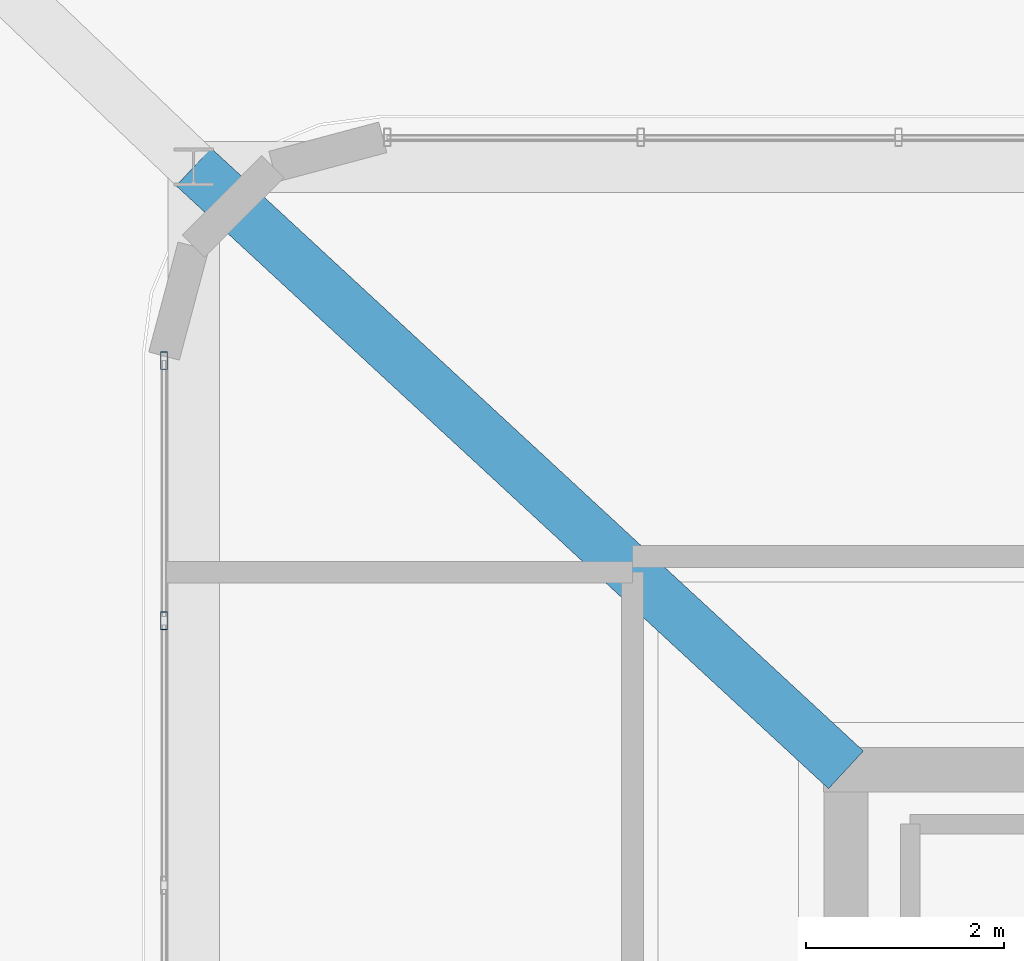
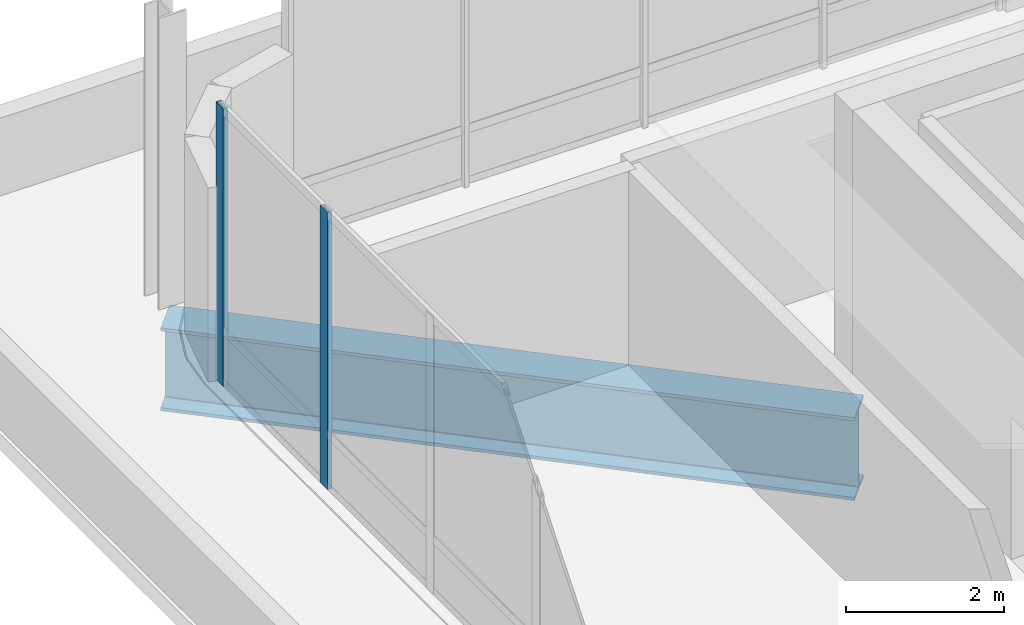
# One storey, part 10 of 28: 2 members, 1 beam, 1 element without a shape of its own.
"""IFC4 building model written with IfcOpenShell, lengths in metres."""

from ifc_helpers import new_model, si_unit, direction, frame, origin, origin_2d, place, context, subcontext, project, spatial, hollow_rectangle, i_section, extrude, material, material_profile, profile_set, type_object, element, aggregate, save


model = new_model("IFC4")

# Units and contexts
model_context = context("Model", 3, precision=1e-05, world=origin(), true_north=direction((0.0, 1.0)))
body_context = subcontext(model_context, "Body", "Model", "MODEL_VIEW")
ifc_project = project(units=[si_unit("LENGTHUNIT", "METRE"), si_unit("AREAUNIT", "SQUARE_METRE"), si_unit("VOLUMEUNIT", "CUBIC_METRE"), si_unit("PLANEANGLEUNIT", "RADIAN"), si_unit("MASSUNIT", "GRAM", prefix="KILO")], contexts=[model_context])

# Site, building, storey
site_placement = place(None, origin())
site = spatial("IfcSite", under=ifc_project, at=site_placement, CompositionType="ELEMENT")
building_placement = place(site_placement, origin())
building = spatial("IfcBuilding", under=site, at=building_placement, Name="Punatoya Terracotta Tower", CompositionType="ELEMENT")
storey_placement = place(building_placement, frame((0.0, 0.0, 352.800048828125)))
storey = spatial("IfcBuildingStorey", under=building, at=storey_placement, Name="L83", CompositionType="ELEMENT", Elevation=352.800048828125)

# Beam
ifc_material_1 = material(Name="Steel S460", Category="steel")
ifc_material_profile_1 = material_profile(ifc_material_1, i_section(OverallWidth=0.52001953125, OverallDepth=1.280029296875, WebThickness=0.031982421875, FlangeThickness=0.050048828125, FilletRadius=0.01806640625, at=origin_2d()))
ifc_profile_set_1 = profile_set([ifc_material_profile_1], Name="Steel S460")
beam_type = type_object("IfcBeamType", Name="BM-TG-NCK", PredefinedType="BEAM", material=ifc_profile_set_1)
beam_placement = place(storey_placement, frame((-16.800048828125, 15.300048828125, -0.920166015625), z_axis=(0.734376297809, -0.678742552973, 0.0), x_axis=(0.678742552973, 0.734376297809, 0.0)))
element("IfcBeam", 1, at=beam_placement, inside=storey, type_object=beam_type, Name="BM-L83-CD4B", PredefinedType="BEAM", context=body_context, shape_type="SweptSolid", body=[
    extrude(i_section(OverallWidth=0.52001953125, OverallDepth=1.280029296875, WebThickness=0.031982421875, FlangeThickness=0.050048828125, FilletRadius=0.01806640625, at=origin_2d()), origin(), (0.0, 0.0, 1.0), 8.9873046875),
])

# Curtain wall, members
ifc_material_2 = material(Name="Aluminium 6063-T6 + Double Low-E Glass", Category="aluminium")
curtain_wall_type = type_object("IfcCurtainWallType", Name="CW-CRN", PredefinedType="NOTDEFINED", material=ifc_material_2)
curtain_wall_placement = place(storey_placement, origin())
curtain_wall = element("IfcCurtainWall", 2, at=curtain_wall_placement, inside=storey, type_object=curtain_wall_type, Name="L83 Curtain Wall CW-L83-W13-1", PredefinedType="NOTDEFINED")
ifc_material_3 = material(Name="Aluminium 6063-T6", Category="aluminium")
ifc_material_profile_2 = material_profile(ifc_material_3, hollow_rectangle(XDim=0.070068359375, YDim=0.179931640625, WallThickness=0.00390625, at=origin_2d()))
ifc_profile_set_2 = profile_set([ifc_material_profile_2], Name="Aluminium 6063-T6")
member_type = type_object("IfcMemberType", Name="CW-MUL-M3", PredefinedType="MULLION", material=ifc_profile_set_2)
member_1_placement = place(storey_placement, frame((-17.10009765625, 13.341796875, 0.0), z_axis=(0.0, 0.0, 1.0), x_axis=(1.0, 0.0, 0.0)))
member_1 = element("IfcMember", 3, at=member_1_placement, type_object=member_type, Name="CW-L83-W13-1 Mullion 00", PredefinedType="MULLION", context=body_context, shape_type="SweptSolid", body=[
    extrude(hollow_rectangle(XDim=0.070068359375, YDim=0.179931640625, WallThickness=0.00390625, at=origin_2d()), origin(), (0.0, 0.0, 1.0), 4.280029296875),
])
member_2_placement = place(storey_placement, frame((-17.10009765625, 10.70947265625, 0.0), z_axis=(0.0, 0.0, 1.0), x_axis=(1.0, 0.0, 0.0)))
member_2 = element("IfcMember", 4, at=member_2_placement, type_object=member_type, Name="CW-L83-W13-1 Mullion 01", PredefinedType="MULLION", context=body_context, shape_type="SweptSolid", body=[
    extrude(hollow_rectangle(XDim=0.070068359375, YDim=0.179931640625, WallThickness=0.00390625, at=origin_2d()), origin(), (0.0, 0.0, 1.0), 4.280029296875),
])
aggregate(curtain_wall, [member_1, member_2])

save(model, "model.ifc")
